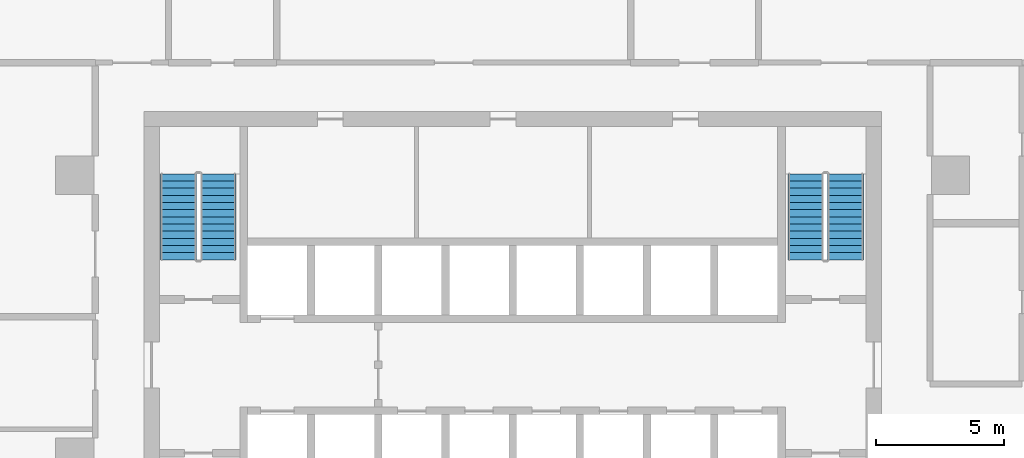
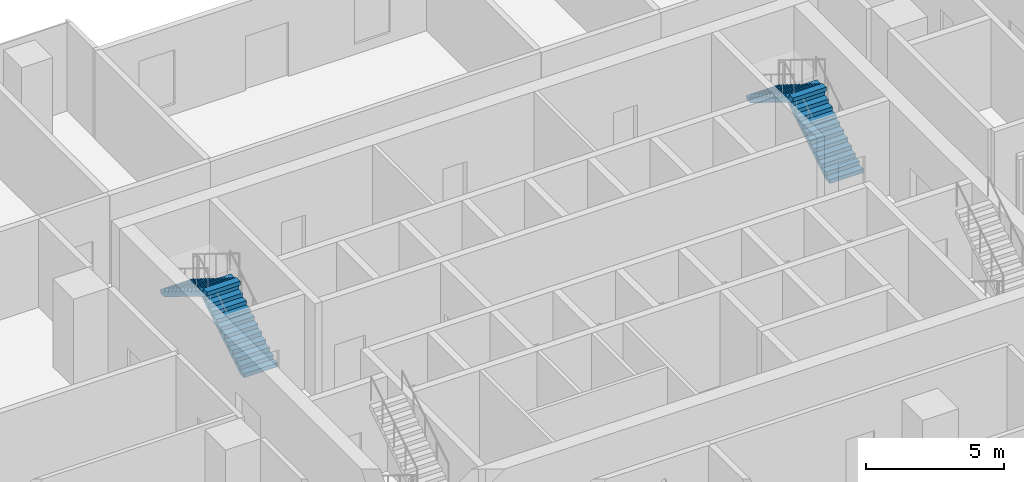
# One storey, part 11 of 14: 4 stair flights, 2 elements without a shape of their own.
"""IFC4 building model written with IfcOpenShell, lengths in metres."""

from ifc_helpers import new_model, si_unit, direction, frame, origin, place, context, subcontext, project, spatial, polyline, outline, extrude, material, type_object, element, aggregate, save


model = new_model("IFC4")

# Units and contexts
model_context = context("Model", 3, precision=1e-05, world=origin(), true_north=direction((0.0, 1.0)))
body_context = subcontext(model_context, "Body", "Model", "MODEL_VIEW")
ifc_project = project(units=[si_unit("LENGTHUNIT", "METRE"), si_unit("AREAUNIT", "SQUARE_METRE"), si_unit("VOLUMEUNIT", "CUBIC_METRE"), si_unit("PLANEANGLEUNIT", "RADIAN"), si_unit("MASSUNIT", "GRAM", prefix="KILO")], contexts=[model_context])

# Site, building, storey
site_placement = place(None, origin())
site = spatial("IfcSite", under=ifc_project, at=site_placement, CompositionType="ELEMENT")
building_placement = place(site_placement, origin())
building = spatial("IfcBuilding", under=site, at=building_placement, Name="Mopane Tessera Tower", CompositionType="ELEMENT")
storey_placement = place(building_placement, frame((0.0, 0.0, 144.10009765625)))
storey = spatial("IfcBuildingStorey", under=building, at=storey_placement, Name="L29", CompositionType="ELEMENT", Elevation=144.10009765625)

# Stair, stair flights
ifc_material_1 = material(Name="Concrete C50/60", Category="concrete")
stair_type = type_object("IfcStairType", Name="Escape stair 1400 mm, riser 173 mm", PredefinedType="HALF_TURN_STAIR", material=ifc_material_1)
stair_1_placement = place(storey_placement, origin())
stair_1 = element("IfcStair", 1, at=stair_1_placement, inside=storey, type_object=stair_type, Name="L29 Escape stair north-west", PredefinedType="HALF_TURN_STAIR")
ifc_material_2 = material(Name="Concrete C50/60", Category="concrete")
stair_flight_type = type_object("IfcStairFlightType", Name="Escape stair flight 1400 mm", PredefinedType="STRAIGHT", material=ifc_material_2)
stair_flight_1_placement = place(storey_placement, frame((-11.5, 7.699951171875, 0.0), z_axis=(0.0, 0.0, 1.0), x_axis=(0.0, 1.0, 0.0)))
stair_flight_1 = element("IfcStairFlight", 2, at=stair_flight_1_placement, type_object=stair_flight_type, Name="ST2 flight 1", NumberOfRisers=13, NumberOfTreads=12, PredefinedType="STRAIGHT", RiserHeight=0.173076923, TreadLength=0.28, context=body_context, shape_type="SweptSolid", body=[
    extrude(outline(polyline([(0.0, 0.0), (0.0, 0.173095703125), (0.280029296875, 0.173095703125), (0.280029296875, 0.34619140625), (0.56005859375, 0.34619140625), (0.56005859375, 0.519287109375), (0.840087890625, 0.519287109375), (0.840087890625, 0.6923828125), (1.1201171875, 0.6923828125), (1.1201171875, 0.865478515625), (1.39990234375, 0.865478515625), (1.39990234375, 1.03857421875), (1.679931640625, 1.03857421875), (1.679931640625, 1.21142578125), (1.9599609375, 1.21142578125), (1.9599609375, 1.384521484375), (2.239990234375, 1.384521484375), (2.239990234375, 1.5576171875), (2.52001953125, 1.5576171875), (2.52001953125, 1.730712890625), (2.800048828125, 1.730712890625), (2.800048828125, 1.90380859375), (3.080078125, 1.90380859375), (3.080078125, 2.076904296875), (3.360107421875, 2.076904296875), (3.360107421875, 2.25), (3.360107421875, 1.900634765625), (0.28515625, 0.0), (0.0, 0.0)])), frame((0.0, 0.699951171875, 0.0), z_axis=(0.0, -1.0, 0.0), x_axis=(1.0, 0.0, 0.0)), (0.0, 0.0, 1.0), 1.39990234375),
])
stair_flight_2_placement = place(storey_placement, frame((-13.050048828125, 11.06005859375, 2.25), z_axis=(0.0, 0.0, 1.0), x_axis=(0.0, -1.0, 0.0)))
stair_flight_2 = element("IfcStairFlight", 3, at=stair_flight_2_placement, type_object=stair_flight_type, Name="ST2 flight 2", NumberOfRisers=13, NumberOfTreads=12, PredefinedType="STRAIGHT", RiserHeight=0.173076923, TreadLength=0.28, context=body_context, shape_type="SweptSolid", body=[
    extrude(outline(polyline([(0.0, 0.0), (0.0, 0.173095703125), (0.280029296875, 0.173095703125), (0.280029296875, 0.34619140625), (0.56005859375, 0.34619140625), (0.56005859375, 0.519287109375), (0.840087890625, 0.519287109375), (0.840087890625, 0.6923828125), (1.1201171875, 0.6923828125), (1.1201171875, 0.865478515625), (1.39990234375, 0.865478515625), (1.39990234375, 1.03857421875), (1.679931640625, 1.03857421875), (1.679931640625, 1.21142578125), (1.9599609375, 1.21142578125), (1.9599609375, 1.384521484375), (2.239990234375, 1.384521484375), (2.239990234375, 1.5576171875), (2.52001953125, 1.5576171875), (2.52001953125, 1.730712890625), (2.800048828125, 1.730712890625), (2.800048828125, 1.90380859375), (3.080078125, 1.90380859375), (3.080078125, 2.076904296875), (3.360107421875, 2.076904296875), (3.360107421875, 2.25), (3.360107421875, 1.900634765625), (0.28515625, 0.0), (0.0, 0.0)])), frame((0.0, 0.699951171875, 0.0), z_axis=(0.0, -1.0, 0.0), x_axis=(1.0, 0.0, 0.0)), (0.0, 0.0, 1.0), 1.39990234375),
])
aggregate(stair_1, [stair_flight_1, stair_flight_2])

stair_2_placement = place(storey_placement, origin())
stair_2 = element("IfcStair", 4, at=stair_2_placement, inside=storey, type_object=stair_type, Name="L29 Escape stair north-east", PredefinedType="HALF_TURN_STAIR")
stair_flight_3_placement = place(storey_placement, frame((13.0, 7.699951171875, 0.0), z_axis=(0.0, 0.0, 1.0), x_axis=(0.0, 1.0, 0.0)))
stair_flight_3 = element("IfcStairFlight", 5, at=stair_flight_3_placement, type_object=stair_flight_type, Name="ST4 flight 1", NumberOfRisers=13, NumberOfTreads=12, PredefinedType="STRAIGHT", RiserHeight=0.173076923, TreadLength=0.28, context=body_context, shape_type="SweptSolid", body=[
    extrude(outline(polyline([(0.0, 0.0), (0.0, 0.173095703125), (0.280029296875, 0.173095703125), (0.280029296875, 0.34619140625), (0.56005859375, 0.34619140625), (0.56005859375, 0.519287109375), (0.840087890625, 0.519287109375), (0.840087890625, 0.6923828125), (1.1201171875, 0.6923828125), (1.1201171875, 0.865478515625), (1.39990234375, 0.865478515625), (1.39990234375, 1.03857421875), (1.679931640625, 1.03857421875), (1.679931640625, 1.21142578125), (1.9599609375, 1.21142578125), (1.9599609375, 1.384521484375), (2.239990234375, 1.384521484375), (2.239990234375, 1.5576171875), (2.52001953125, 1.5576171875), (2.52001953125, 1.730712890625), (2.800048828125, 1.730712890625), (2.800048828125, 1.90380859375), (3.080078125, 1.90380859375), (3.080078125, 2.076904296875), (3.360107421875, 2.076904296875), (3.360107421875, 2.25), (3.360107421875, 1.900634765625), (0.28515625, 0.0), (0.0, 0.0)])), frame((0.0, 0.699951171875, 0.0), z_axis=(0.0, -1.0, 0.0), x_axis=(1.0, 0.0, 0.0)), (0.0, 0.0, 1.0), 1.39990234375),
])
stair_flight_4_placement = place(storey_placement, frame((11.449951171875, 11.06005859375, 2.25), z_axis=(0.0, 0.0, 1.0), x_axis=(0.0, -1.0, 0.0)))
stair_flight_4 = element("IfcStairFlight", 6, at=stair_flight_4_placement, type_object=stair_flight_type, Name="ST4 flight 2", NumberOfRisers=13, NumberOfTreads=12, PredefinedType="STRAIGHT", RiserHeight=0.173076923, TreadLength=0.28, context=body_context, shape_type="SweptSolid", body=[
    extrude(outline(polyline([(0.0, 0.0), (0.0, 0.173095703125), (0.280029296875, 0.173095703125), (0.280029296875, 0.34619140625), (0.56005859375, 0.34619140625), (0.56005859375, 0.519287109375), (0.840087890625, 0.519287109375), (0.840087890625, 0.6923828125), (1.1201171875, 0.6923828125), (1.1201171875, 0.865478515625), (1.39990234375, 0.865478515625), (1.39990234375, 1.03857421875), (1.679931640625, 1.03857421875), (1.679931640625, 1.21142578125), (1.9599609375, 1.21142578125), (1.9599609375, 1.384521484375), (2.239990234375, 1.384521484375), (2.239990234375, 1.5576171875), (2.52001953125, 1.5576171875), (2.52001953125, 1.730712890625), (2.800048828125, 1.730712890625), (2.800048828125, 1.90380859375), (3.080078125, 1.90380859375), (3.080078125, 2.076904296875), (3.360107421875, 2.076904296875), (3.360107421875, 2.25), (3.360107421875, 1.900634765625), (0.28515625, 0.0), (0.0, 0.0)])), frame((0.0, 0.699951171875, 0.0), z_axis=(0.0, -1.0, 0.0), x_axis=(1.0, 0.0, 0.0)), (0.0, 0.0, 1.0), 1.39990234375),
])
aggregate(stair_2, [stair_flight_3, stair_flight_4])

save(model, "model.ifc")
